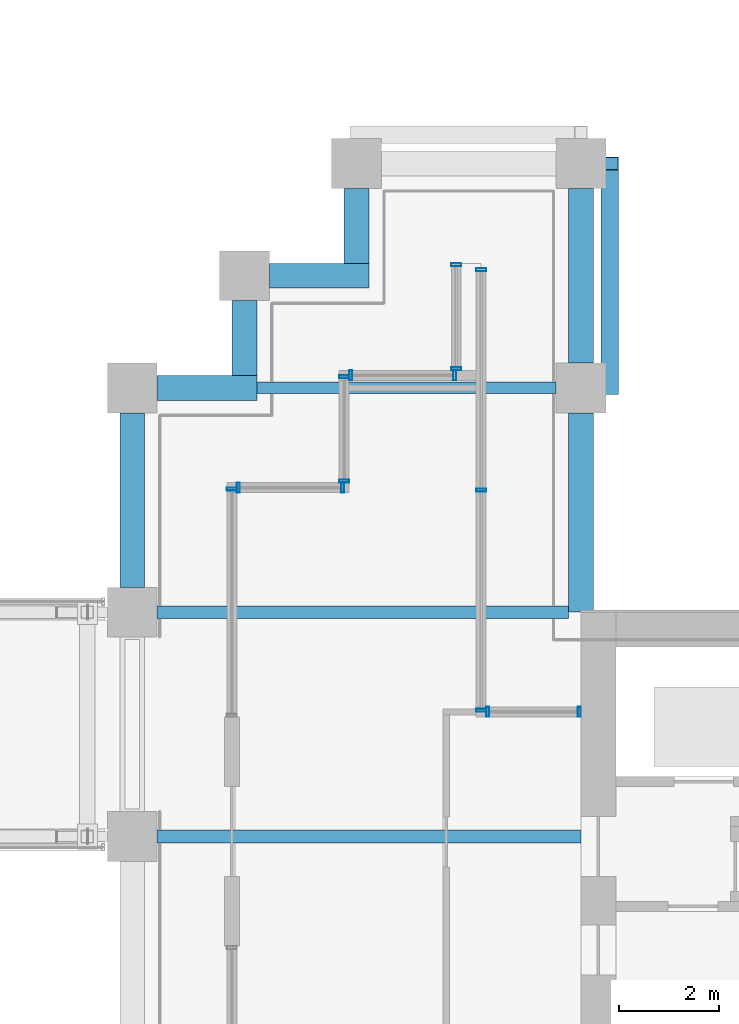
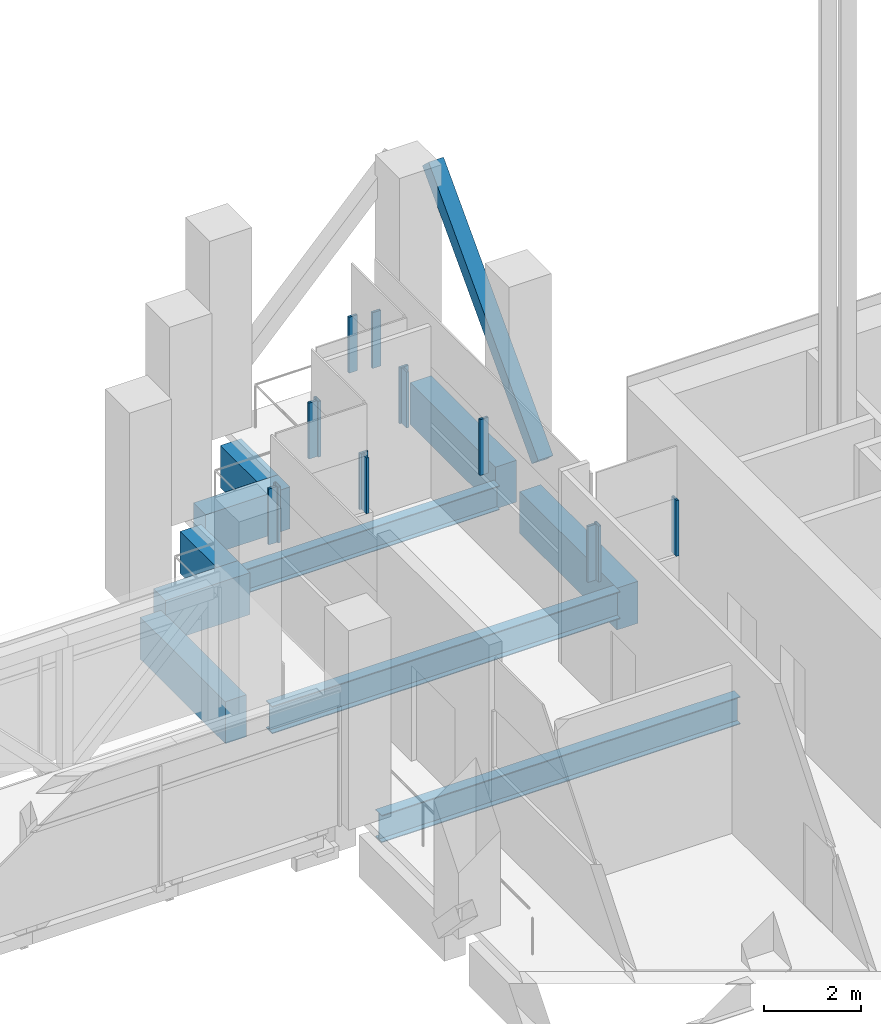
# One storey, part 26 of 48: 15 members, 10 beams, 7 elements without a shape of their own.
"""IFC4 building model written with IfcOpenShell, lengths in metres."""

import ifcopenshell
import ifcopenshell.guid

model = None  # the IFC model being written
_history = None  # IfcOwnerHistory: only IFC2X3 demands one
_inside = {}  # id of a spatial element -> (the spatial element, [elements in it])
_under = {}  # id of a project, library or spatial element -> (it, [spatial elements below it])
_declared = {}  # id of a project -> (the project, [libraries it declares])
_typed = {}  # id of a type object -> (the type object, [elements of that type])
_made_of = {}  # id of a material, layer set ... -> (it, [elements and type objects made of it])


def new_model(schema):
    """Start an empty IFC model of exactly this schema.

    Asked for "IFC4X3", IfcOpenShell would pick the latest addendum, in which some entities
    have other attributes; the version numbers below select the first issue.
    IFC2X3 requires an IfcOwnerHistory on every rooted entity: one is made here for all.
    """
    global model, _history
    if schema == "IFC4X3":
        model = ifcopenshell.file(schema_version=(4, 3, 0, 0))
    else:
        model = ifcopenshell.file(schema=schema)
    _inside.clear()
    _under.clear()
    _declared.clear()
    _typed.clear()
    _made_of.clear()
    _history = None
    if model.schema == "IFC2X3":
        org = make("IfcOrganization", Name="unknown")
        user = make(
            "IfcPersonAndOrganization",
            ThePerson=make("IfcPerson", FamilyName="unknown"),
            TheOrganization=org,
        )
        app = make(
            "IfcApplication",
            ApplicationDeveloper=org,
            Version="unknown",
            ApplicationFullName="unknown",
            ApplicationIdentifier="unknown",
        )
        _history = make(
            "IfcOwnerHistory",
            OwningUser=user,
            OwningApplication=app,
            ChangeAction="ADDED",
            CreationDate=0,
        )
    return model


def make(cls, **values):
    """One entity of the class cls with the attributes given. An attribute that is None is left unset."""
    return model.create_entity(
        cls, **{name: value for name, value in values.items() if value is not None}
    )


def rooted(cls, **values):
    """An entity with a GlobalId (a new one), such as an element, a storey or a relation."""
    return make(cls, GlobalId=ifcopenshell.guid.new(), OwnerHistory=_history, **values)


def si_unit(unit_type, name, prefix=None):
    """IfcSIUnit, for example si_unit("LENGTHUNIT", "METRE", prefix="MILLI")."""
    return make("IfcSIUnit", UnitType=unit_type, Prefix=prefix, Name=name)


def assignment(units):
    """IfcUnitAssignment: the units of a project."""
    return None if units is None else make("IfcUnitAssignment", Units=units)


def point(xyz):
    """IfcCartesianPoint."""
    return None if xyz is None else make("IfcCartesianPoint", Coordinates=xyz)


def direction(xyz):
    """IfcDirection."""
    return None if xyz is None else make("IfcDirection", DirectionRatios=xyz)


def frame(location, z_axis=None, x_axis=None):
    """IfcAxis2Placement3D, a coordinate frame: its origin and axes. An axis left out is left unset."""
    return make(
        "IfcAxis2Placement3D",
        Location=point(location),
        Axis=direction(z_axis),
        RefDirection=direction(x_axis),
    )


def frame_2d(location, x_axis=None):
    """IfcAxis2Placement2D, a coordinate frame in the plane: its origin and x axis."""
    return make(
        "IfcAxis2Placement2D", Location=point(location), RefDirection=direction(x_axis)
    )


def origin():
    """The frame at (0, 0, 0) with its axes left unset."""
    return frame((0.0, 0.0, 0.0))


def origin_2d():
    """The frame at (0, 0) in the plane with its x axis left unset."""
    return frame_2d((0.0, 0.0))


def place(relative_to, where):
    """IfcLocalPlacement: puts the frame where relative to a parent placement (None: the world)."""
    return make(
        "IfcLocalPlacement", PlacementRelTo=relative_to, RelativePlacement=where
    )


def context(
    kind, dimensions, precision=None, world=None, true_north=None, identifier=None
):
    """IfcGeometricRepresentationContext, for example the 3D "Model" context."""
    return make(
        "IfcGeometricRepresentationContext",
        ContextIdentifier=identifier,
        ContextType=kind,
        CoordinateSpaceDimension=dimensions,
        Precision=precision,
        WorldCoordinateSystem=world,
        TrueNorth=true_north,
    )


def subcontext(parent, identifier, kind, view, scale=None):
    """IfcGeometricRepresentationSubContext, for example "Body" below "Model"."""
    return make(
        "IfcGeometricRepresentationSubContext",
        ContextIdentifier=identifier,
        ContextType=kind,
        ParentContext=parent,
        TargetScale=scale,
        TargetView=view,
    )


def project(units=None, contexts=None):
    """IfcProject with its units and contexts."""
    return rooted(
        "IfcProject",
        Name="project",
        RepresentationContexts=contexts,
        UnitsInContext=assignment(units),
    )


def spatial(cls, under=None, at=None, **own):
    """A site, building, storey or space (cls), placed at a placement, below another one or the project."""
    s = rooted(cls, ObjectPlacement=at, **own)
    if under is not None:
        _under.setdefault(under.id(), (under, []))[1].append(s)
    return s


def profile(cls, at=None, kind="AREA", **sizes):
    """A parametric profile (cls). Its sizes go by their IFC names, for example OverallWidth=200.0."""
    return make(cls, ProfileType=kind, Position=at, **sizes)


def rectangle(**sizes):
    """IfcRectangleProfileDef."""
    return profile("IfcRectangleProfileDef", **sizes)


def hollow_rectangle(**sizes):
    """IfcRectangleHollowProfileDef."""
    return profile("IfcRectangleHollowProfileDef", **sizes)


def i_section(**sizes):
    """IfcIShapeProfileDef."""
    return profile("IfcIShapeProfileDef", **sizes)


def extrude(swept, where, along, depth):
    """IfcExtrudedAreaSolid: the profile swept, set in the frame where, extruded along a direction by depth."""
    return make(
        "IfcExtrudedAreaSolid",
        SweptArea=swept,
        Position=where,
        ExtrudedDirection=direction(along),
        Depth=depth,
    )


def shape(context_of_items, identifier, shape_type, items):
    """IfcShapeRepresentation: the items that make up one representation, for example the "Body"."""
    return make(
        "IfcShapeRepresentation",
        ContextOfItems=context_of_items,
        RepresentationIdentifier=identifier,
        RepresentationType=shape_type,
        Items=items,
    )


def material(Name=None, Category=None):
    """IfcMaterial."""
    return make("IfcMaterial", Name=Name, Category=Category)


def material_profile(
    of_material, cross_section, Name=None, Category=None, Priority=None
):
    """IfcMaterialProfile: a cross section and its material."""
    return make(
        "IfcMaterialProfile",
        Name=Name,
        Material=of_material,
        Profile=cross_section,
        Priority=Priority,
        Category=Category,
    )


def profile_set(profiles, Name=None, composite=None):
    """IfcMaterialProfileSet."""
    return make(
        "IfcMaterialProfileSet",
        Name=Name,
        MaterialProfiles=profiles,
        CompositeProfile=composite,
    )


def made_of(thing, what):
    """Note that an element or type object is made of a material, layer set ...; save() writes the relation."""
    if what is not None:
        _made_of.setdefault(what.id(), (what, []))[1].append(thing)
    return thing


def type_object(cls, material=None, **own):
    """A type object (cls), such as IfcWallType, which elements share."""
    return made_of(rooted(cls, **own), material)


def element(
    cls,
    number,
    at=None,
    inside=None,
    cuts=None,
    type_object=None,
    material=None,
    context=None,
    identifier="Body",
    shape_type=None,
    held_by="IfcProductDefinitionShape",
    body=None,
    shapes=None,
    **own,
):
    """One element of the class cls, such as IfcWall. Its Tag is "e" and its number.

    at: its placement. inside: the storey or other place that contains it. cuts: it is an
    opening in that element (IfcRelVoidsElement). A single representation is given by context,
    identifier, shape_type and body (its items); several are given by shapes. held_by: the class
    of the entity that holds the representations. save() writes the other relations.
    """
    e = rooted(cls, Tag="e%d" % number, ObjectPlacement=at, **own)
    if body is not None:
        shapes = [shape(context, identifier, shape_type, body)]
    if shapes is not None:
        e.Representation = make(held_by, Representations=shapes)
    if inside is not None:
        _inside.setdefault(inside.id(), (inside, []))[1].append(e)
    if cuts is not None:
        rooted(
            "IfcRelVoidsElement", RelatingBuildingElement=cuts, RelatedOpeningElement=e
        )
    if type_object is not None:
        _typed.setdefault(type_object.id(), (type_object, []))[1].append(e)
    return made_of(e, material)


def aggregate(whole, parts):
    """IfcRelAggregates: a whole, such as a stair, and the parts it consists of."""
    return rooted("IfcRelAggregates", RelatingObject=whole, RelatedObjects=parts)


def save(model, path):
    """Write the relations noted so far, then the file.

    IfcRelAggregates (storeys below a building ...), IfcRelContainedInSpatialStructure (elements
    in a storey), IfcRelDefinesByType, IfcRelAssociatesMaterial and IfcRelDeclares: one each for
    every whole, place, type object, material and project.
    """
    for whole, parts in _under.values():
        aggregate(whole, parts)
    for where, things in _inside.values():
        rooted(
            "IfcRelContainedInSpatialStructure",
            RelatedElements=things,
            RelatingStructure=where,
        )
    for kind, things in _typed.values():
        rooted("IfcRelDefinesByType", RelatedObjects=things, RelatingType=kind)
    for what, things in _made_of.values():
        rooted("IfcRelAssociatesMaterial", RelatedObjects=things, RelatingMaterial=what)
    for by, libraries in _declared.values():
        rooted("IfcRelDeclares", RelatingContext=by, RelatedDefinitions=libraries)
    model.write(path)


model = new_model("IFC4")

# Units and contexts
model_context = context("Model", 3, precision=1e-05, world=origin(), true_north=direction((0.0, 1.0)))
body_context = subcontext(model_context, "Body", "Model", "MODEL_VIEW")
ifc_project = project(units=[si_unit("LENGTHUNIT", "METRE"), si_unit("AREAUNIT", "SQUARE_METRE"), si_unit("VOLUMEUNIT", "CUBIC_METRE"), si_unit("PLANEANGLEUNIT", "RADIAN"), si_unit("MASSUNIT", "GRAM", prefix="KILO")], contexts=[model_context])

# Site, building, storey
site_placement = place(None, origin())
site = spatial("IfcSite", under=ifc_project, at=site_placement, CompositionType="ELEMENT")
building_placement = place(site_placement, origin())
building = spatial("IfcBuilding", under=site, at=building_placement, Name="Altepetl Exchange Towers", CompositionType="ELEMENT")
storey_placement = place(building_placement, frame((0.0, 0.0, 138.800048828125)))
storey = spatial("IfcBuildingStorey", under=building, at=storey_placement, Name="L34 Refuge and sky lobby", CompositionType="ELEMENT", Elevation=138.800048828125)

# Member
ifc_material_1 = material(Name="Steel S355", Category="steel")
ifc_material_profile_1 = material_profile(ifc_material_1, hollow_rectangle(XDim=0.35595703125, YDim=0.35595703125, WallThickness=0.014892578125, at=origin_2d()), Name="HSS356X356X15.9")
ifc_profile_set_1 = profile_set([ifc_material_profile_1], Name="Steel S355")
member_type_1 = type_object("IfcMemberType", Name="Belt diagonal HSS356X356X15.9", PredefinedType="BRACE", material=ifc_profile_set_1)
member_1_placement = place(storey_placement, frame((104.080078125, 54.0, 0.0), z_axis=(0.0, 0.687744647911, 0.725952683906), x_axis=(-1.0, 0.0, 0.0)))
element("IfcMember", 1, at=member_1_placement, inside=storey, type_object=member_type_1, Name="brc:B:L34:010", PredefinedType="BRACE", context=body_context, shape_type="SweptSolid", body=[
    extrude(hollow_rectangle(XDim=0.35595703125, YDim=0.35595703125, WallThickness=0.014892578125, at=origin_2d()), origin(), (0.0, 0.0, 1.0), 6.543212890625),
])

# Beams
ifc_material_profile_2 = material_profile(ifc_material_1, i_section(OverallWidth=0.22802734375, OverallDepth=0.60791015625, WebThickness=0.01123046875, FlangeThickness=0.017333984375, at=origin_2d()), Name="W24X76")
ifc_profile_set_2 = profile_set([ifc_material_profile_2], Name="Steel S355")
beam_type_1 = type_object("IfcBeamType", Name="Floor beam W24X76", PredefinedType="BEAM", material=ifc_profile_set_2)
beam_1_placement = place(storey_placement, frame((97.0, 54.0, -0.504150390625), z_axis=(1.0, 0.0, 0.0), x_axis=(0.0, 1.0, 0.0)))
element("IfcBeam", 2, at=beam_1_placement, inside=storey, type_object=beam_type_1, Name="bm:B:L34:011", PredefinedType="BEAM", context=body_context, shape_type="SweptSolid", body=[
    extrude(i_section(OverallWidth=0.22802734375, OverallDepth=0.60791015625, WebThickness=0.01123046875, FlangeThickness=0.017333984375, at=origin_2d()), origin(), (0.0, 0.0, 1.0), 6.0),
])
ifc_material_profile_3 = material_profile(ifc_material_1, i_section(OverallWidth=0.25390625, OverallDepth=0.68798828125, WebThickness=0.01318359375, FlangeThickness=0.02099609375, at=origin_2d()), Name="W27X102")
ifc_profile_set_3 = profile_set([ifc_material_profile_3], Name="Steel S355")
beam_type_2 = type_object("IfcBeamType", Name="Floor beam W27X102", PredefinedType="BEAM", material=ifc_profile_set_3)
beam_2_placement = place(storey_placement, frame((95.0, 45.0, -0.5439453125), z_axis=(1.0, 0.0, 0.0), x_axis=(0.0, 1.0, 0.0)))
element("IfcBeam", 3, at=beam_2_placement, inside=storey, type_object=beam_type_2, Name="bm:B:L34:009", PredefinedType="BEAM", context=body_context, shape_type="SweptSolid", body=[
    extrude(i_section(OverallWidth=0.25390625, OverallDepth=0.68798828125, WebThickness=0.01318359375, FlangeThickness=0.02099609375, at=origin_2d()), origin(), (0.0, 0.0, 1.0), 8.5),
])
beam_3_placement = place(storey_placement, frame((95.0, 49.5, -0.5439453125), z_axis=(1.0, 0.0, 0.0), x_axis=(0.0, 1.0, 0.0)))
element("IfcBeam", 4, at=beam_3_placement, inside=storey, type_object=beam_type_2, Name="bm:B:L34:010", PredefinedType="BEAM", context=body_context, shape_type="SweptSolid", body=[
    extrude(i_section(OverallWidth=0.25390625, OverallDepth=0.68798828125, WebThickness=0.01318359375, FlangeThickness=0.02099609375, at=origin_2d()), origin(), (0.0, 0.0, 1.0), 8.25),
])

# Curtain wall, members
ifc_material_2 = material(Name="Aluminium 6063-T6 glazing", Category="aluminium")
curtain_wall_type = type_object("IfcCurtainWallType", Name="Refuge slit glazing system", PredefinedType="NOTDEFINED", material=ifc_material_2)
curtain_wall_1_placement = place(storey_placement, origin())
curtain_wall_1 = element("IfcCurtainWall", 5, at=curtain_wall_1_placement, inside=storey, type_object=curtain_wall_type, Name="CW3 run", PredefinedType="NOTDEFINED")
ifc_material_3 = material(Name="Aluminium 6063-T6", Category="aluminium")
ifc_material_profile_4 = material_profile(ifc_material_3, hollow_rectangle(XDim=0.06005859375, YDim=0.199951171875, WallThickness=0.0029296875, at=origin_2d()), Name="Mullion 60x200 aluminium")
ifc_profile_set_4 = profile_set([ifc_material_profile_4], Name="Aluminium 6063-T6")
member_type_2 = type_object("IfcMemberType", Name="Mullion 60x200 aluminium", PredefinedType="MULLION", material=ifc_profile_set_4)
member_2_placement = place(storey_placement, frame((98.719970703125, 52.0, 1.800048828125), z_axis=(0.0, 0.0, 1.0), x_axis=(-1.0, 0.0, 0.0)))
member_2 = element("IfcMember", 6, at=member_2_placement, type_object=member_type_2, Name="MU2 mullion", PredefinedType="MULLION", context=body_context, shape_type="SweptSolid", body=[
    extrude(hollow_rectangle(XDim=0.06005859375, YDim=0.199951171875, WallThickness=0.0029296875, at=origin_2d()), origin(), (0.0, 0.0, 1.0), 1.39990234375),
])
member_3_placement = place(storey_placement, frame((96.6298828125, 52.0, 1.800048828125), z_axis=(0.0, 0.0, 1.0), x_axis=(-1.0, 0.0, 0.0)))
member_3 = element("IfcMember", 7, at=member_3_placement, type_object=member_type_2, Name="MU2 mullion", PredefinedType="MULLION", context=body_context, shape_type="SweptSolid", body=[
    extrude(hollow_rectangle(XDim=0.06005859375, YDim=0.199951171875, WallThickness=0.0029296875, at=origin_2d()), origin(), (0.0, 0.0, 1.0), 1.39990234375),
])
aggregate(curtain_wall_1, [member_2, member_3])

# Curtain wall, member
curtain_wall_2_placement = place(storey_placement, origin())
curtain_wall_2 = element("IfcCurtainWall", 8, at=curtain_wall_2_placement, inside=storey, type_object=curtain_wall_type, Name="CW3 run", PredefinedType="NOTDEFINED")
member_4_placement = place(storey_placement, frame((96.5, 51.969970703125, 1.800048828125), z_axis=(0.0, 0.0, 1.0), x_axis=(0.0, -1.0, 0.0)))
member_4 = element("IfcMember", 9, at=member_4_placement, type_object=member_type_2, Name="MU2 mullion", PredefinedType="MULLION", context=body_context, shape_type="SweptSolid", body=[
    extrude(hollow_rectangle(XDim=0.06005859375, YDim=0.199951171875, WallThickness=0.0029296875, at=origin_2d()), origin(), (0.0, 0.0, 1.0), 1.39990234375),
])
aggregate(curtain_wall_2, [member_4])

# Curtain wall, members
curtain_wall_3_placement = place(storey_placement, origin())
curtain_wall_3 = element("IfcCurtainWall", 10, at=curtain_wall_3_placement, inside=storey, type_object=curtain_wall_type, Name="CW3 run", PredefinedType="NOTDEFINED")
member_5_placement = place(storey_placement, frame((103.469970703125, 47.5, 1.800048828125), z_axis=(0.0, 0.0, 1.0), x_axis=(-1.0, 0.0, 0.0)))
member_5 = element("IfcMember", 11, at=member_5_placement, type_object=member_type_2, Name="MU2 mullion", PredefinedType="MULLION", context=body_context, shape_type="SweptSolid", body=[
    extrude(hollow_rectangle(XDim=0.06005859375, YDim=0.199951171875, WallThickness=0.0029296875, at=origin_2d()), origin(), (0.0, 0.0, 1.0), 1.39990234375),
])
member_6_placement = place(storey_placement, frame((101.6298828125, 47.5, 1.800048828125), z_axis=(0.0, 0.0, 1.0), x_axis=(-1.0, 0.0, 0.0)))
member_6 = element("IfcMember", 12, at=member_6_placement, type_object=member_type_2, Name="MU2 mullion", PredefinedType="MULLION", context=body_context, shape_type="SweptSolid", body=[
    extrude(hollow_rectangle(XDim=0.06005859375, YDim=0.199951171875, WallThickness=0.0029296875, at=origin_2d()), origin(), (0.0, 0.0, 1.0), 1.39990234375),
])
aggregate(curtain_wall_3, [member_5, member_6])

curtain_wall_4_placement = place(storey_placement, origin())
curtain_wall_4 = element("IfcCurtainWall", 13, at=curtain_wall_4_placement, inside=storey, type_object=curtain_wall_type, Name="CW3 run", PredefinedType="NOTDEFINED")
member_7_placement = place(storey_placement, frame((101.5, 47.530029296875, 1.800048828125), z_axis=(0.0, 0.0, 1.0), x_axis=(0.0, 1.0, 0.0)))
member_7 = element("IfcMember", 14, at=member_7_placement, type_object=member_type_2, Name="MU2 mullion", PredefinedType="MULLION", context=body_context, shape_type="SweptSolid", body=[
    extrude(hollow_rectangle(XDim=0.06005859375, YDim=0.199951171875, WallThickness=0.0029296875, at=origin_2d()), origin(), (0.0, 0.0, 1.0), 1.39990234375),
])
member_8_placement = place(storey_placement, frame((101.5, 51.949951171875, 1.800048828125), z_axis=(0.0, 0.0, 1.0), x_axis=(0.0, 1.0, 0.0)))
member_8 = element("IfcMember", 15, at=member_8_placement, type_object=member_type_2, Name="MU2 mullion", PredefinedType="MULLION", context=body_context, shape_type="SweptSolid", body=[
    extrude(hollow_rectangle(XDim=0.06005859375, YDim=0.199951171875, WallThickness=0.0029296875, at=origin_2d()), origin(), (0.0, 0.0, 1.0), 1.39990234375),
])
member_9_placement = place(storey_placement, frame((101.5, 56.3701171875, 1.800048828125), z_axis=(0.0, 0.0, 1.0), x_axis=(0.0, 1.0, 0.0)))
member_9 = element("IfcMember", 16, at=member_9_placement, type_object=member_type_2, Name="MU2 mullion", PredefinedType="MULLION", context=body_context, shape_type="SweptSolid", body=[
    extrude(hollow_rectangle(XDim=0.06005859375, YDim=0.199951171875, WallThickness=0.0029296875, at=origin_2d()), origin(), (0.0, 0.0, 1.0), 1.39990234375),
])
aggregate(curtain_wall_4, [member_7, member_8, member_9])

curtain_wall_5_placement = place(storey_placement, origin())
curtain_wall_5 = element("IfcCurtainWall", 17, at=curtain_wall_5_placement, inside=storey, type_object=curtain_wall_type, Name="CW3 run", PredefinedType="NOTDEFINED")
member_10_placement = place(storey_placement, frame((101.0, 56.469970703125, 1.800048828125), z_axis=(0.0, 0.0, 1.0), x_axis=(0.0, -1.0, 0.0)))
member_10 = element("IfcMember", 18, at=member_10_placement, type_object=member_type_2, Name="MU2 mullion", PredefinedType="MULLION", context=body_context, shape_type="SweptSolid", body=[
    extrude(hollow_rectangle(XDim=0.06005859375, YDim=0.199951171875, WallThickness=0.0029296875, at=origin_2d()), origin(), (0.0, 0.0, 1.0), 1.39990234375),
])
member_11_placement = place(storey_placement, frame((101.0, 54.3798828125, 1.800048828125), z_axis=(0.0, 0.0, 1.0), x_axis=(0.0, -1.0, 0.0)))
member_11 = element("IfcMember", 19, at=member_11_placement, type_object=member_type_2, Name="MU2 mullion", PredefinedType="MULLION", context=body_context, shape_type="SweptSolid", body=[
    extrude(hollow_rectangle(XDim=0.06005859375, YDim=0.199951171875, WallThickness=0.0029296875, at=origin_2d()), origin(), (0.0, 0.0, 1.0), 1.39990234375),
])
aggregate(curtain_wall_5, [member_10, member_11])

curtain_wall_6_placement = place(storey_placement, origin())
curtain_wall_6 = element("IfcCurtainWall", 20, at=curtain_wall_6_placement, inside=storey, type_object=curtain_wall_type, Name="CW3 run", PredefinedType="NOTDEFINED")
member_12_placement = place(storey_placement, frame((100.969970703125, 54.25, 1.800048828125), z_axis=(0.0, 0.0, 1.0), x_axis=(-1.0, 0.0, 0.0)))
member_12 = element("IfcMember", 21, at=member_12_placement, type_object=member_type_2, Name="MU2 mullion", PredefinedType="MULLION", context=body_context, shape_type="SweptSolid", body=[
    extrude(hollow_rectangle(XDim=0.06005859375, YDim=0.199951171875, WallThickness=0.0029296875, at=origin_2d()), origin(), (0.0, 0.0, 1.0), 1.39990234375),
])
member_13_placement = place(storey_placement, frame((98.8798828125, 54.25, 1.800048828125), z_axis=(0.0, 0.0, 1.0), x_axis=(-1.0, 0.0, 0.0)))
member_13 = element("IfcMember", 22, at=member_13_placement, type_object=member_type_2, Name="MU2 mullion", PredefinedType="MULLION", context=body_context, shape_type="SweptSolid", body=[
    extrude(hollow_rectangle(XDim=0.06005859375, YDim=0.199951171875, WallThickness=0.0029296875, at=origin_2d()), origin(), (0.0, 0.0, 1.0), 1.39990234375),
])
aggregate(curtain_wall_6, [member_12, member_13])

curtain_wall_7_placement = place(storey_placement, origin())
curtain_wall_7 = element("IfcCurtainWall", 23, at=curtain_wall_7_placement, inside=storey, type_object=curtain_wall_type, Name="CW3 run", PredefinedType="NOTDEFINED")
member_14_placement = place(storey_placement, frame((98.75, 54.219970703125, 1.800048828125), z_axis=(0.0, 0.0, 1.0), x_axis=(0.0, -1.0, 0.0)))
member_14 = element("IfcMember", 24, at=member_14_placement, type_object=member_type_2, Name="MU2 mullion", PredefinedType="MULLION", context=body_context, shape_type="SweptSolid", body=[
    extrude(hollow_rectangle(XDim=0.06005859375, YDim=0.199951171875, WallThickness=0.0029296875, at=origin_2d()), origin(), (0.0, 0.0, 1.0), 1.39990234375),
])
member_15_placement = place(storey_placement, frame((98.75, 52.1298828125, 1.800048828125), z_axis=(0.0, 0.0, 1.0), x_axis=(0.0, -1.0, 0.0)))
member_15 = element("IfcMember", 25, at=member_15_placement, type_object=member_type_2, Name="MU2 mullion", PredefinedType="MULLION", context=body_context, shape_type="SweptSolid", body=[
    extrude(hollow_rectangle(XDim=0.06005859375, YDim=0.199951171875, WallThickness=0.0029296875, at=origin_2d()), origin(), (0.0, 0.0, 1.0), 1.39990234375),
])
aggregate(curtain_wall_7, [member_14, member_15])

# Beams
ifc_material_4 = material(Name="Concrete C50/60 precast with cantera rosa facing", Category="concrete")
ifc_material_profile_5 = material_profile(ifc_material_4, rectangle(XDim=0.5, YDim=1.050048828125, at=origin_2d()), Name="500 x 1050")
ifc_profile_set_5 = profile_set([ifc_material_profile_5], Name="Concrete C50/60 precast with cantera rosa facing")
beam_type_3 = type_object("IfcBeamType", Name="Spandrel beam 500x1050 cantera rosa", PredefinedType="SPANDREL", material=ifc_profile_set_5)
beam_4_placement = place(storey_placement, frame((103.5, 49.5, -0.72509765625), z_axis=(0.0, 1.0, 0.0), x_axis=(-1.0, 0.0, 0.0)))
element("IfcBeam", 26, at=beam_4_placement, inside=storey, type_object=beam_type_3, Name="sp:B:L34:015", PredefinedType="SPANDREL", context=body_context, shape_type="SweptSolid", body=[
    extrude(rectangle(XDim=0.5, YDim=1.050048828125, at=origin_2d()), origin(), (0.0, 0.0, 1.0), 4.0),
])
beam_5_placement = place(storey_placement, frame((103.5, 54.5, -0.72509765625), z_axis=(0.0, 1.0, 0.0), x_axis=(-1.0, 0.0, 0.0)))
element("IfcBeam", 27, at=beam_5_placement, inside=storey, type_object=beam_type_3, Name="sp:B:L34:016", PredefinedType="SPANDREL", context=body_context, shape_type="SweptSolid", body=[
    extrude(rectangle(XDim=0.5, YDim=1.050048828125, at=origin_2d()), origin(), (0.0, 0.0, 1.0), 3.5),
])
beam_6_placement = place(storey_placement, frame((99.0, 58.0, -0.72509765625), z_axis=(0.0, -1.0, 0.0), x_axis=(1.0, 0.0, 0.0)))
element("IfcBeam", 28, at=beam_6_placement, inside=storey, type_object=beam_type_3, Name="sp:B:L34:018", PredefinedType="SPANDREL", context=body_context, shape_type="SweptSolid", body=[
    extrude(rectangle(XDim=0.5, YDim=1.050048828125, at=origin_2d()), origin(), (0.0, 0.0, 1.0), 1.5),
])
beam_7_placement = place(storey_placement, frame((99.25, 56.25, -0.72509765625), z_axis=(-1.0, 0.0, 0.0), x_axis=(0.0, -1.0, 0.0)))
element("IfcBeam", 29, at=beam_7_placement, inside=storey, type_object=beam_type_3, Name="sp:B:L34:019", PredefinedType="SPANDREL", context=body_context, shape_type="SweptSolid", body=[
    extrude(rectangle(XDim=0.5, YDim=1.050048828125, at=origin_2d()), origin(), (0.0, 0.0, 1.0), 2.0),
])
beam_8_placement = place(storey_placement, frame((96.75, 55.75, -0.72509765625), z_axis=(0.0, -1.0, 0.0), x_axis=(1.0, 0.0, 0.0)))
element("IfcBeam", 30, at=beam_8_placement, inside=storey, type_object=beam_type_3, Name="sp:B:L34:020", PredefinedType="SPANDREL", context=body_context, shape_type="SweptSolid", body=[
    extrude(rectangle(XDim=0.5, YDim=1.050048828125, at=origin_2d()), origin(), (0.0, 0.0, 1.0), 1.5),
])
beam_9_placement = place(storey_placement, frame((97.0, 54.0, -0.72509765625), z_axis=(-1.0, 0.0, 0.0), x_axis=(0.0, -1.0, 0.0)))
element("IfcBeam", 31, at=beam_9_placement, inside=storey, type_object=beam_type_3, Name="sp:B:L34:021", PredefinedType="SPANDREL", context=body_context, shape_type="SweptSolid", body=[
    extrude(rectangle(XDim=0.5, YDim=1.050048828125, at=origin_2d()), origin(), (0.0, 0.0, 1.0), 2.0),
])
beam_10_placement = place(storey_placement, frame((94.5, 53.5, -0.72509765625), z_axis=(0.0, -1.0, 0.0), x_axis=(1.0, 0.0, 0.0)))
element("IfcBeam", 32, at=beam_10_placement, inside=storey, type_object=beam_type_3, Name="sp:B:L34:022", PredefinedType="SPANDREL", context=body_context, shape_type="SweptSolid", body=[
    extrude(rectangle(XDim=0.5, YDim=1.050048828125, at=origin_2d()), origin(), (0.0, 0.0, 1.0), 3.5),
])

save(model, "model.ifc")
